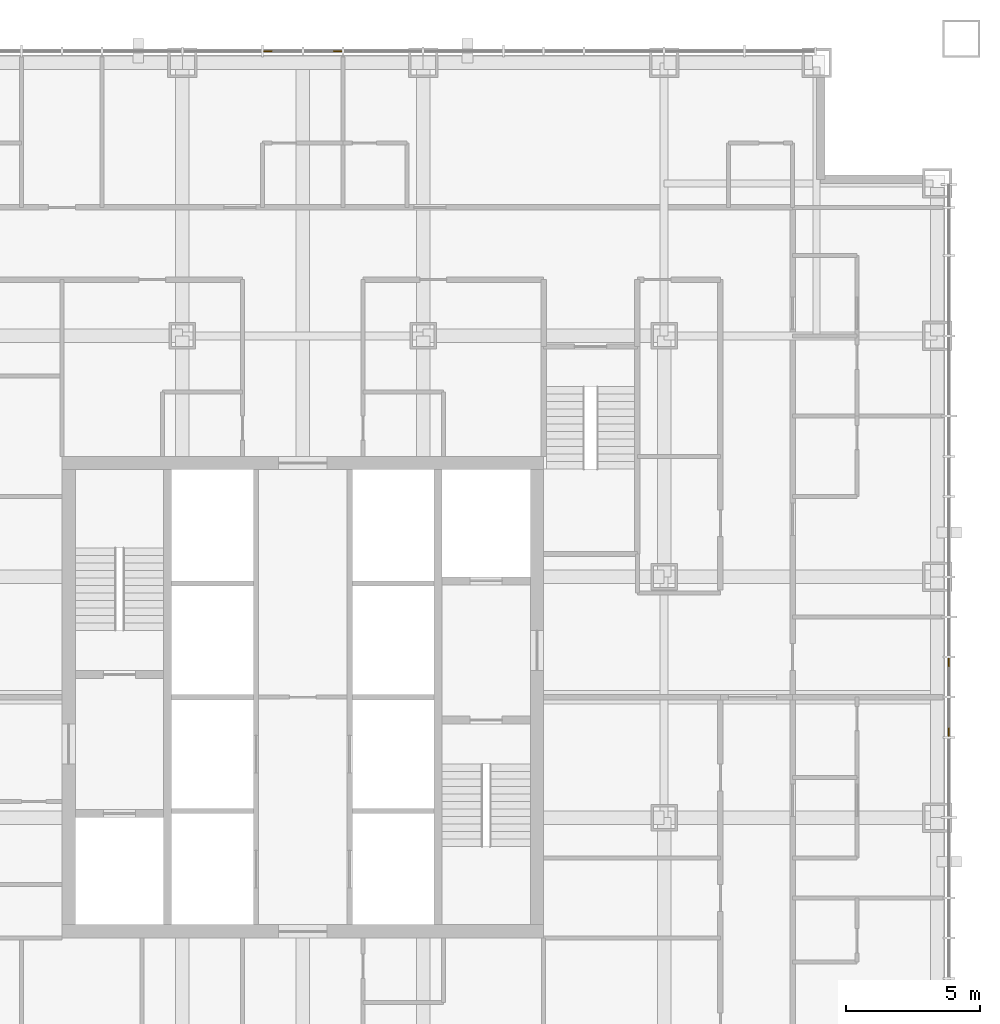
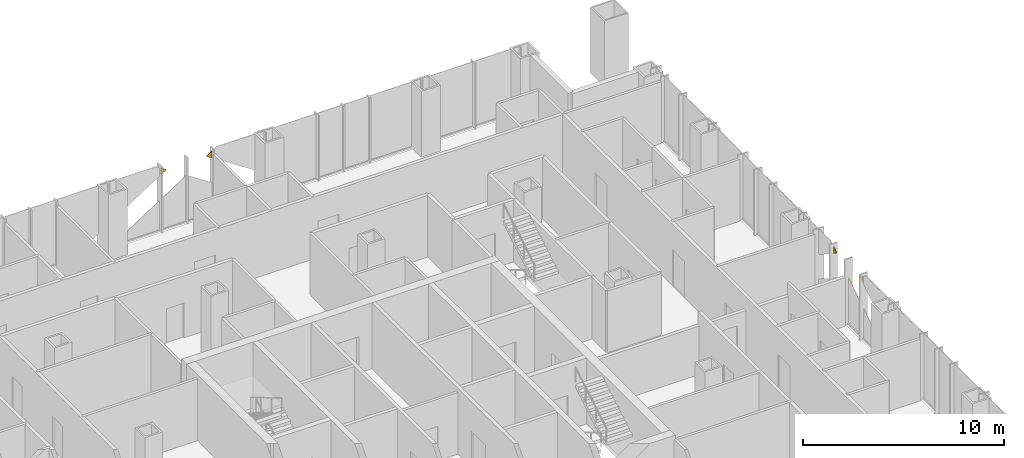
# One storey, part 16 of 16: 4 coverings.
"""IFC4 building model written with IfcOpenShell, lengths in metres."""

from ifc_helpers import new_model, si_unit, direction, frame, origin, place, context, subcontext, project, spatial, polyline, outline, extrude, material, layer, layer_set, type_object, element, save


model = new_model("IFC4")

# Units and contexts
model_context = context("Model", 3, precision=1e-05, world=origin(), true_north=direction((0.0, 1.0)))
body_context = subcontext(model_context, "Body", "Model", "MODEL_VIEW")
ifc_project = project(units=[si_unit("LENGTHUNIT", "METRE"), si_unit("AREAUNIT", "SQUARE_METRE"), si_unit("VOLUMEUNIT", "CUBIC_METRE"), si_unit("PLANEANGLEUNIT", "RADIAN"), si_unit("MASSUNIT", "GRAM", prefix="KILO")], contexts=[model_context])

# Site, building, storey
site_placement = place(None, origin())
site = spatial("IfcSite", under=ifc_project, at=site_placement, CompositionType="ELEMENT")
building_placement = place(site_placement, origin())
building = spatial("IfcBuilding", under=site, at=building_placement, Name="Malebo Sky Hospital", CompositionType="ELEMENT")
storey_placement = place(building_placement, frame((0.0, 0.0, 152.0)))
storey = spatial("IfcBuildingStorey", under=building, at=storey_placement, Name="L36", CompositionType="ELEMENT", Elevation=152.0)

# Coverings
ifc_material = material(Name="Anodised aluminium, natural silver insulated infill panel", Category="aluminium")
ifc_layer = layer(ifc_material, 0.0400390625)
ifc_layer_set = layer_set([ifc_layer], Name="BRACE INFILL PANEL 40")
covering_type = type_object("IfcCoveringType", Name="BRACE INFILL PANEL 40", PredefinedType="CLADDING", material=ifc_layer_set)
covering_1_placement = place(storey_placement, frame((58.695068359375, 86.135009765625, 3.39501953125), z_axis=(0.0, 0.0, 1.0), x_axis=(1.0, 0.0, 0.0)))
element("IfcCovering", 1, at=covering_1_placement, inside=storey, type_object=covering_type, Name="Brace infill panel 9.1", PredefinedType="CLADDING", context=body_context, shape_type="SweptSolid", body=[
    extrude(outline(polyline([(-0.15771484375, 0.0), (0.15771484375, 0.205078125), (-0.15771484375, 0.41015625), (-0.15771484375, 0.0)])), frame((0.0, 0.02001953125, 0.0), z_axis=(0.0, -1.0, 0.0), x_axis=(1.0, 0.0, 0.0)), (0.0, 0.0, 1.0), 0.0400390625),
])
covering_2_placement = place(storey_placement, frame((61.304931640625, 86.135009765625, 3.39501953125), z_axis=(0.0, 0.0, 1.0), x_axis=(1.0, 0.0, 0.0)))
element("IfcCovering", 2, at=covering_2_placement, inside=storey, type_object=covering_type, Name="Brace infill panel 10.1", PredefinedType="CLADDING", context=body_context, shape_type="SweptSolid", body=[
    extrude(outline(polyline([(0.15771484375, 0.0), (0.15771484375, 0.41015625), (-0.15771484375, 0.205078125), (0.15771484375, 0.0)])), frame((0.0, 0.02001953125, 0.0), z_axis=(0.0, -1.0, 0.0), x_axis=(1.0, 0.0, 0.0)), (0.0, 0.0, 1.0), 0.0400390625),
])
covering_3_placement = place(storey_placement, frame((84.135009765625, 63.304931640625, 3.39501953125), z_axis=(0.0, 0.0, 1.0), x_axis=(0.0, -1.0, 0.0)))
element("IfcCovering", 3, at=covering_3_placement, inside=storey, type_object=covering_type, Name="Brace infill panel 10.1", PredefinedType="CLADDING", context=body_context, shape_type="SweptSolid", body=[
    extrude(outline(polyline([(-0.15771484375, 0.0), (0.15771484375, 0.205078125), (-0.15771484375, 0.41015625), (-0.15771484375, 0.0)])), frame((0.0, 0.02001953125, 0.0), z_axis=(0.0, -1.0, 0.0), x_axis=(1.0, 0.0, 0.0)), (0.0, 0.0, 1.0), 0.0400390625),
])
covering_4_placement = place(storey_placement, frame((84.135009765625, 60.695068359375, 3.39501953125), z_axis=(0.0, 0.0, 1.0), x_axis=(0.0, -1.0, 0.0)))
element("IfcCovering", 4, at=covering_4_placement, inside=storey, type_object=covering_type, Name="Brace infill panel 11.1", PredefinedType="CLADDING", context=body_context, shape_type="SweptSolid", body=[
    extrude(outline(polyline([(0.15771484375, 0.0), (0.15771484375, 0.41015625), (-0.15771484375, 0.205078125), (0.15771484375, 0.0)])), frame((0.0, 0.02001953125, 0.0), z_axis=(0.0, -1.0, 0.0), x_axis=(1.0, 0.0, 0.0)), (0.0, 0.0, 1.0), 0.0400390625),
])

save(model, "model.ifc")
